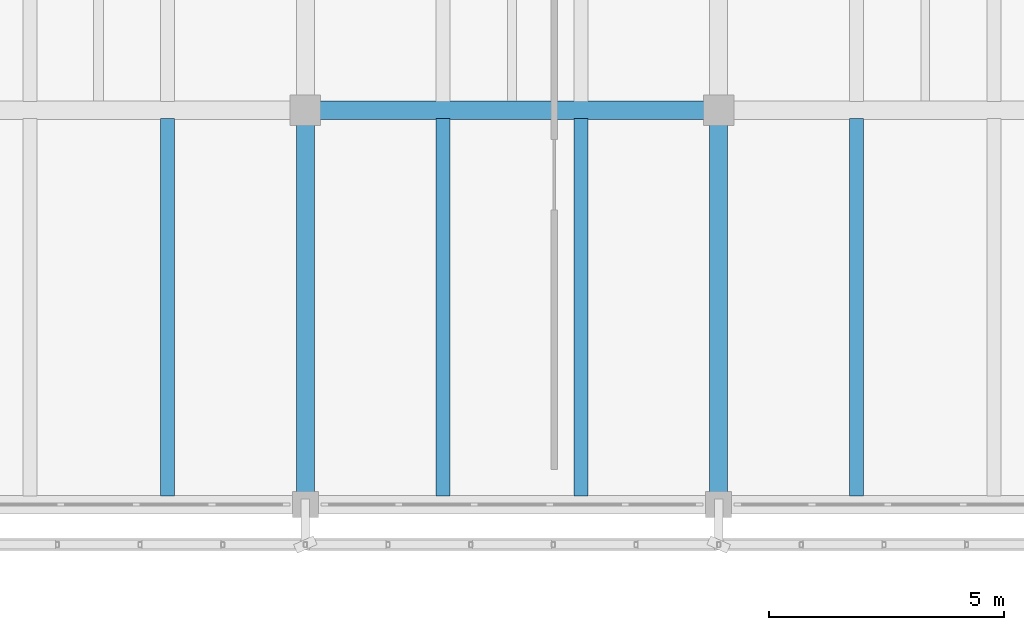
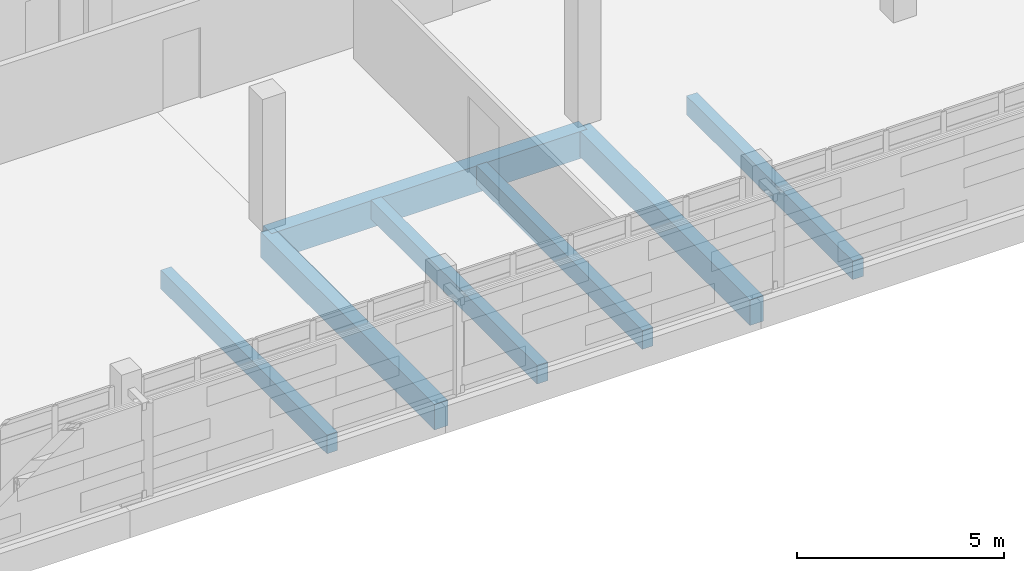
# One storey, part 54 of 117: 7 beams.
"""IFC4 building model written with IfcOpenShell, lengths in metres."""

from ifc_helpers import new_model, si_unit, direction, frame, origin, origin_2d, place, context, subcontext, project, spatial, rectangle, extrude, material, material_profile, profile_set, type_object, element, save


model = new_model("IFC4")

# Units and contexts
model_context = context("Model", 3, precision=1e-05, world=origin(), true_north=direction((0.0, 1.0)))
body_context = subcontext(model_context, "Body", "Model", "MODEL_VIEW")
ifc_project = project(units=[si_unit("LENGTHUNIT", "METRE"), si_unit("AREAUNIT", "SQUARE_METRE"), si_unit("VOLUMEUNIT", "CUBIC_METRE"), si_unit("PLANEANGLEUNIT", "RADIAN"), si_unit("MASSUNIT", "GRAM", prefix="KILO")], contexts=[model_context])

# Site, building, storey
site_placement = place(None, origin())
site = spatial("IfcSite", under=ifc_project, at=site_placement, CompositionType="ELEMENT")
building_placement = place(site_placement, origin())
building = spatial("IfcBuilding", under=site, at=building_placement, Name="Cinderway Yard Community Centre", CompositionType="ELEMENT")
storey_placement = place(building_placement, frame((0.0, 0.0, 9.0)))
storey = spatial("IfcBuildingStorey", under=building, at=storey_placement, Name="L02", CompositionType="ELEMENT", Elevation=9.0)

# Beams
ifc_material_1 = material(Name="Concrete C35/45", Category="concrete")
ifc_material_profile_1 = material_profile(ifc_material_1, rectangle(XDim=0.300048828125, YDim=0.550048828125, at=origin_2d()), Name="Concrete C35/45")
ifc_profile_set_1 = profile_set([ifc_material_profile_1], Name="Concrete C35/45")
beam_type_1 = type_object("IfcBeamType", Name="STR-BM-RC300X550", PredefinedType="JOIST", material=ifc_profile_set_1)
for number, where, z_axis, x_axis, name in (
    (1, (89.866943359375, 90.181884765625, -0.514892578125), (0.0, 1.0, 0.0), (-1.0, 0.0, 0.0), "Secondary joist STR-BM-L02-BJ03-0610"),
    (2, (95.73291015625, 90.181884765625, -0.514892578125), (0.0, 1.0, 0.0), (-1.0, 0.0, 0.0), "Secondary joist STR-BM-L02-BJ03-0615"),
    (3, (98.6669921875, 90.181884765625, -0.514892578125), (0.0, 1.0, 0.0), (-1.0, 0.0, 0.0), "Secondary joist STR-BM-L02-BJ03-0616"),
    (4, (104.532958984375, 90.181884765625, -0.514892578125), (0.0, 1.0, 0.0), (-1.0, 0.0, 0.0), "Secondary joist STR-BM-L02-BJ03-0621"),
):
    element("IfcBeam", number, at=place(storey_placement, frame(where, z_axis=z_axis, x_axis=x_axis)), inside=storey, type_object=beam_type_1, Name=name, PredefinedType="JOIST", context=body_context, shape_type="SweptSolid", body=[
        extrude(rectangle(XDim=0.300048828125, YDim=0.550048828125, at=origin_2d()), origin(), (0.0, 0.0, 1.0), 8.0361328125),
    ])
ifc_material_profile_2 = material_profile(ifc_material_1, rectangle(XDim=0.3798828125, YDim=0.75, at=origin_2d()), Name="Concrete C35/45")
ifc_profile_set_2 = profile_set([ifc_material_profile_2], Name="Concrete C35/45")
beam_type_2 = type_object("IfcBeamType", Name="STR-BM-RC380X750", PredefinedType="BEAM", material=ifc_profile_set_2)
for number, where, z_axis, x_axis, name in (
    (5, (92.800048828125, 90.0, -0.614990234375), (0.0, 1.0, 0.0), (-1.0, 0.0, 0.0), "Transverse girder STR-BM-L02-BG06-0562"),
    (6, (101.60009765625, 90.0, -0.614990234375), (0.0, 1.0, 0.0), (-1.0, 0.0, 0.0), "Transverse girder STR-BM-L02-BG06-0565"),
):
    element("IfcBeam", number, at=place(storey_placement, frame(where, z_axis=z_axis, x_axis=x_axis)), inside=storey, type_object=beam_type_2, Name=name, PredefinedType="BEAM", context=body_context, shape_type="SweptSolid", body=[
        extrude(rectangle(XDim=0.3798828125, YDim=0.75, at=origin_2d()), origin(), (0.0, 0.0, 1.0), 8.39990234375),
    ])
ifc_material_2 = material(Name="Concrete C40/50", Category="concrete")
ifc_material_profile_3 = material_profile(ifc_material_2, rectangle(XDim=0.39990234375, YDim=0.800048828125, at=origin_2d()), Name="Concrete C40/50")
ifc_profile_set_3 = profile_set([ifc_material_profile_3], Name="Concrete C40/50")
beam_type_3 = type_object("IfcBeamType", Name="STR-BM-RC400X800", PredefinedType="BEAM", material=ifc_profile_set_3)
beam_placement = place(storey_placement, frame((92.800048828125, 98.39990234375, -0.639892578125), z_axis=(1.0, 0.0, 0.0), x_axis=(0.0, 1.0, 0.0)))
element("IfcBeam", 7, at=beam_placement, inside=storey, type_object=beam_type_3, Name="Primary girder STR-BM-L02-BG05-0514", PredefinedType="BEAM", context=body_context, shape_type="SweptSolid", body=[
    extrude(rectangle(XDim=0.39990234375, YDim=0.800048828125, at=origin_2d()), origin(), (0.0, 0.0, 1.0), 8.800048828125),
])

save(model, "model.ifc")
